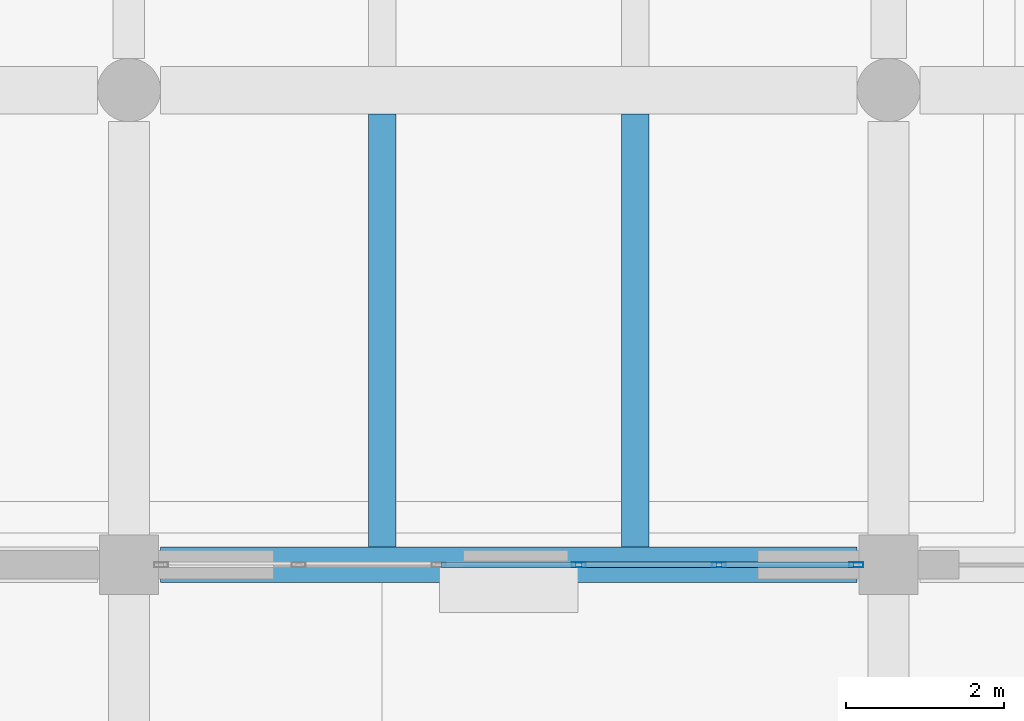
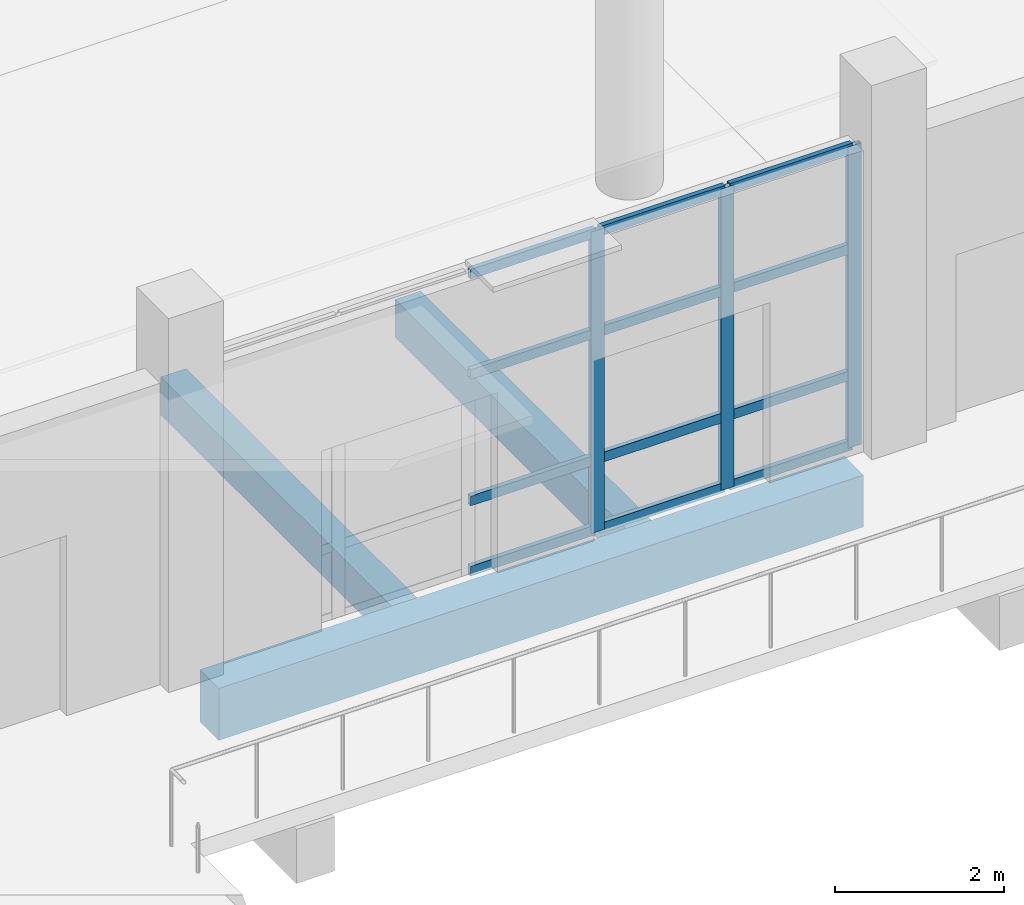
# One storey, part 26 of 78: 15 members, 3 beams, 1 element without a shape of its own.
"""IFC4 building model written with IfcOpenShell, lengths in metres."""

from ifc_helpers import new_model, si_unit, direction, frame, origin, origin_2d, place, context, subcontext, project, spatial, rectangle, hollow_rectangle, extrude, material, material_profile, profile_set, type_object, element, aggregate, save


model = new_model("IFC4")

# Units and contexts
model_context = context("Model", 3, precision=1e-05, world=origin(), true_north=direction((0.0, 1.0)))
body_context = subcontext(model_context, "Body", "Model", "MODEL_VIEW")
ifc_project = project(units=[si_unit("LENGTHUNIT", "METRE"), si_unit("AREAUNIT", "SQUARE_METRE"), si_unit("VOLUMEUNIT", "CUBIC_METRE"), si_unit("PLANEANGLEUNIT", "RADIAN"), si_unit("MASSUNIT", "GRAM", prefix="KILO")], contexts=[model_context])

# Site, building, storey
site_placement = place(None, origin())
site = spatial("IfcSite", under=ifc_project, at=site_placement, CompositionType="ELEMENT")
building_placement = place(site_placement, origin())
building = spatial("IfcBuilding", under=site, at=building_placement, Name="Pellamere Symphony Hall", CompositionType="ELEMENT")
storey_placement = place(building_placement, origin())
storey = spatial("IfcBuildingStorey", under=building, at=storey_placement, Name="L00", CompositionType="ELEMENT", Elevation=0.0)

# Curtain wall, members
ifc_material_1 = material(Name="Thermally Broken Anodised Aluminium 6063-T6 Curtain Wall", Category="aluminium")
curtain_wall_type = type_object("IfcCurtainWallType", Name="Curtain Wall CW-02 (Winter-Garden South Concourse Curtain Wall)", PredefinedType="NOTDEFINED", material=ifc_material_1)
curtain_wall_placement = place(storey_placement, origin())
curtain_wall = element("IfcCurtainWall", 1, at=curtain_wall_placement, inside=storey, type_object=curtain_wall_type, Name="Winter-Garden South Curtain Wall (L00 Bay 11)", PredefinedType="NOTDEFINED")
ifc_material_2 = material(Name="Anodised Architectural Aluminium 6063-T6", Category="aluminium")
ifc_material_profile_1 = material_profile(ifc_material_2, hollow_rectangle(XDim=0.06494140625, YDim=0.179931640625, WallThickness=0.00390625, at=origin_2d()), Name="ALU-M65X180X4")
ifc_profile_set_1 = profile_set([ifc_material_profile_1], Name="Anodised Architectural Aluminium 6063-T6")
member_type_1 = type_object("IfcMemberType", Name="Curtain Wall Mullion ML-02 ALU-M65X180X4", PredefinedType="MULLION", material=ifc_profile_set_1)
member_1_placement = place(storey_placement, frame((124.485107421875, 18.0, 0.0), z_axis=(0.0, 0.0, 1.0), x_axis=(0.0, 1.0, 0.0)))
member_1 = element("IfcMember", 2, at=member_1_placement, type_object=member_type_1, Name="CW2-065 crystal mullion 4", PredefinedType="MULLION", context=body_context, shape_type="SweptSolid", body=[
    extrude(hollow_rectangle(XDim=0.06494140625, YDim=0.179931640625, WallThickness=0.00390625, at=origin_2d()), origin(), (0.0, 0.0, 1.0), 4.35009765625),
])
member_2_placement = place(storey_placement, frame((126.2548828125, 18.0, 0.0), z_axis=(0.0, 0.0, 1.0), x_axis=(0.0, 1.0, 0.0)))
member_2 = element("IfcMember", 3, at=member_2_placement, type_object=member_type_1, Name="CW2-065 crystal mullion 5", PredefinedType="MULLION", context=body_context, shape_type="SweptSolid", body=[
    extrude(hollow_rectangle(XDim=0.06494140625, YDim=0.179931640625, WallThickness=0.00390625, at=origin_2d()), origin(), (0.0, 0.0, 1.0), 4.35009765625),
])
member_3_placement = place(storey_placement, frame((127.992431640625, 18.0, 0.0), z_axis=(0.0, 0.0, 1.0), x_axis=(0.0, 1.0, 0.0)))
member_3 = element("IfcMember", 4, at=member_3_placement, type_object=member_type_1, Name="CW2-065 crystal mullion 6", PredefinedType="MULLION", context=body_context, shape_type="SweptSolid", body=[
    extrude(hollow_rectangle(XDim=0.06494140625, YDim=0.179931640625, WallThickness=0.00390625, at=origin_2d()), origin(), (0.0, 0.0, 1.0), 4.35009765625),
])
ifc_material_profile_2 = material_profile(ifc_material_2, hollow_rectangle(XDim=0.06494140625, YDim=0.139892578125, WallThickness=0.00390625, at=origin_2d()), Name="ALU-T65X140X4")
ifc_profile_set_2 = profile_set([ifc_material_profile_2], Name="Anodised Architectural Aluminium 6063-T6")
member_type_2 = type_object("IfcMemberType", Name="Curtain Wall Transom TR-02 ALU-T65X140X4", PredefinedType="USERDEFINED", material=ifc_profile_set_2)
member_4_placement = place(storey_placement, frame((122.74755859375, 18.0, 0.032470703125), z_axis=(1.0, 0.0, 0.0), x_axis=(0.0, 1.0, 0.0)))
member_4 = element("IfcMember", 5, at=member_4_placement, type_object=member_type_2, Name="CW2-065 crystal transom 3.1", ObjectType="TRANSOM", PredefinedType="USERDEFINED", context=body_context, shape_type="SweptSolid", body=[
    extrude(hollow_rectangle(XDim=0.06494140625, YDim=0.139892578125, WallThickness=0.00390625, at=origin_2d()), origin(), (0.0, 0.0, 1.0), 1.704833984375),
])
member_5_placement = place(storey_placement, frame((122.74755859375, 18.0, 1.0439453125), z_axis=(1.0, 0.0, 0.0), x_axis=(0.0, 1.0, 0.0)))
member_5 = element("IfcMember", 6, at=member_5_placement, type_object=member_type_2, Name="CW2-065 crystal transom 3.2", ObjectType="TRANSOM", PredefinedType="USERDEFINED", context=body_context, shape_type="SweptSolid", body=[
    extrude(hollow_rectangle(XDim=0.06494140625, YDim=0.139892578125, WallThickness=0.00390625, at=origin_2d()), origin(), (0.0, 0.0, 1.0), 1.704833984375),
])
member_6_placement = place(storey_placement, frame((122.74755859375, 18.0, 2.87109375), z_axis=(1.0, 0.0, 0.0), x_axis=(0.0, 1.0, 0.0)))
member_6 = element("IfcMember", 7, at=member_6_placement, type_object=member_type_2, Name="CW2-065 crystal transom 3.3", ObjectType="TRANSOM", PredefinedType="USERDEFINED", context=body_context, shape_type="SweptSolid", body=[
    extrude(hollow_rectangle(XDim=0.06494140625, YDim=0.139892578125, WallThickness=0.00390625, at=origin_2d()), origin(), (0.0, 0.0, 1.0), 1.704833984375),
])
member_7_placement = place(storey_placement, frame((122.74755859375, 18.0, 4.3173828125), z_axis=(1.0, 0.0, 0.0), x_axis=(0.0, 1.0, 0.0)))
member_7 = element("IfcMember", 8, at=member_7_placement, type_object=member_type_2, Name="CW2-065 crystal transom 3.4", ObjectType="TRANSOM", PredefinedType="USERDEFINED", context=body_context, shape_type="SweptSolid", body=[
    extrude(hollow_rectangle(XDim=0.06494140625, YDim=0.139892578125, WallThickness=0.00390625, at=origin_2d()), origin(), (0.0, 0.0, 1.0), 1.704833984375),
])
member_8_placement = place(storey_placement, frame((124.517578125, 18.0, 0.032470703125), z_axis=(1.0, 0.0, 0.0), x_axis=(0.0, 1.0, 0.0)))
member_8 = element("IfcMember", 9, at=member_8_placement, type_object=member_type_2, Name="CW2-065 crystal transom 4.1", ObjectType="TRANSOM", PredefinedType="USERDEFINED", context=body_context, shape_type="SweptSolid", body=[
    extrude(hollow_rectangle(XDim=0.06494140625, YDim=0.139892578125, WallThickness=0.00390625, at=origin_2d()), origin(), (0.0, 0.0, 1.0), 1.704833984375),
])
member_9_placement = place(storey_placement, frame((124.517578125, 18.0, 1.0439453125), z_axis=(1.0, 0.0, 0.0), x_axis=(0.0, 1.0, 0.0)))
member_9 = element("IfcMember", 10, at=member_9_placement, type_object=member_type_2, Name="CW2-065 crystal transom 4.2", ObjectType="TRANSOM", PredefinedType="USERDEFINED", context=body_context, shape_type="SweptSolid", body=[
    extrude(hollow_rectangle(XDim=0.06494140625, YDim=0.139892578125, WallThickness=0.00390625, at=origin_2d()), origin(), (0.0, 0.0, 1.0), 1.704833984375),
])
member_10_placement = place(storey_placement, frame((124.517578125, 18.0, 2.87109375), z_axis=(1.0, 0.0, 0.0), x_axis=(0.0, 1.0, 0.0)))
member_10 = element("IfcMember", 11, at=member_10_placement, type_object=member_type_2, Name="CW2-065 crystal transom 4.3", ObjectType="TRANSOM", PredefinedType="USERDEFINED", context=body_context, shape_type="SweptSolid", body=[
    extrude(hollow_rectangle(XDim=0.06494140625, YDim=0.139892578125, WallThickness=0.00390625, at=origin_2d()), origin(), (0.0, 0.0, 1.0), 1.704833984375),
])
member_11_placement = place(storey_placement, frame((124.517578125, 18.0, 4.3173828125), z_axis=(1.0, 0.0, 0.0), x_axis=(0.0, 1.0, 0.0)))
member_11 = element("IfcMember", 12, at=member_11_placement, type_object=member_type_2, Name="CW2-065 crystal transom 4.4", ObjectType="TRANSOM", PredefinedType="USERDEFINED", context=body_context, shape_type="SweptSolid", body=[
    extrude(hollow_rectangle(XDim=0.06494140625, YDim=0.139892578125, WallThickness=0.00390625, at=origin_2d()), origin(), (0.0, 0.0, 1.0), 1.704833984375),
])
member_12_placement = place(storey_placement, frame((126.28759765625, 18.0, 0.032470703125), z_axis=(1.0, 0.0, 0.0), x_axis=(0.0, 1.0, 0.0)))
member_12 = element("IfcMember", 13, at=member_12_placement, type_object=member_type_2, Name="CW2-065 crystal transom 5.1", ObjectType="TRANSOM", PredefinedType="USERDEFINED", context=body_context, shape_type="SweptSolid", body=[
    extrude(hollow_rectangle(XDim=0.06494140625, YDim=0.139892578125, WallThickness=0.00390625, at=origin_2d()), origin(), (0.0, 0.0, 1.0), 1.67236328125),
])
member_13_placement = place(storey_placement, frame((126.28759765625, 18.0, 1.0439453125), z_axis=(1.0, 0.0, 0.0), x_axis=(0.0, 1.0, 0.0)))
member_13 = element("IfcMember", 14, at=member_13_placement, type_object=member_type_2, Name="CW2-065 crystal transom 5.2", ObjectType="TRANSOM", PredefinedType="USERDEFINED", context=body_context, shape_type="SweptSolid", body=[
    extrude(hollow_rectangle(XDim=0.06494140625, YDim=0.139892578125, WallThickness=0.00390625, at=origin_2d()), origin(), (0.0, 0.0, 1.0), 1.67236328125),
])
member_14_placement = place(storey_placement, frame((126.28759765625, 18.0, 2.87109375), z_axis=(1.0, 0.0, 0.0), x_axis=(0.0, 1.0, 0.0)))
member_14 = element("IfcMember", 15, at=member_14_placement, type_object=member_type_2, Name="CW2-065 crystal transom 5.3", ObjectType="TRANSOM", PredefinedType="USERDEFINED", context=body_context, shape_type="SweptSolid", body=[
    extrude(hollow_rectangle(XDim=0.06494140625, YDim=0.139892578125, WallThickness=0.00390625, at=origin_2d()), origin(), (0.0, 0.0, 1.0), 1.67236328125),
])
member_15_placement = place(storey_placement, frame((126.28759765625, 18.0, 4.3173828125), z_axis=(1.0, 0.0, 0.0), x_axis=(0.0, 1.0, 0.0)))
member_15 = element("IfcMember", 16, at=member_15_placement, type_object=member_type_2, Name="CW2-065 crystal transom 5.4", ObjectType="TRANSOM", PredefinedType="USERDEFINED", context=body_context, shape_type="SweptSolid", body=[
    extrude(hollow_rectangle(XDim=0.06494140625, YDim=0.139892578125, WallThickness=0.00390625, at=origin_2d()), origin(), (0.0, 0.0, 1.0), 1.67236328125),
])
aggregate(curtain_wall, [member_1, member_2, member_3, member_4, member_5, member_6, member_7, member_8, member_9, member_10, member_11, member_12, member_13, member_14, member_15])

# Beams
ifc_material_3 = material(Name="Concrete 35 MPa", Category="concrete")
ifc_material_profile_3 = material_profile(ifc_material_3, rectangle(XDim=0.35009765625, YDim=0.550048828125, at=origin_2d()), Name="RC 350x550")
ifc_profile_set_3 = profile_set([ifc_material_profile_3], Name="Concrete 35 MPa")
beam_type_1 = type_object("IfcBeamType", Name="RC CB-10 350x550", PredefinedType="BEAM", material=ifc_profile_set_3)
for number, where, z_axis, x_axis, name in (
    (17, (122.0, 18.22509765625, -0.590087890625), (0.0, 1.0, 0.0), (-1.0, 0.0, 0.0), "Secondary Floor Beam CB-10-A1502 (L00)"),
    (18, (125.199951171875, 18.22509765625, -0.590087890625), (0.0, 1.0, 0.0), (-1.0, 0.0, 0.0), "Secondary Floor Beam CB-10-B1502 (L00)"),
):
    element("IfcBeam", number, at=place(storey_placement, frame(where, z_axis=z_axis, x_axis=x_axis)), inside=storey, type_object=beam_type_1, Name=name, PredefinedType="BEAM", context=body_context, shape_type="SweptSolid", body=[
        extrude(rectangle(XDim=0.35009765625, YDim=0.550048828125, at=origin_2d()), origin(), (0.0, 0.0, 1.0), 5.474853515625),
    ])
ifc_material_4 = material(Name="Concrete 40 MPa", Category="concrete")
ifc_material_profile_4 = material_profile(ifc_material_4, rectangle(XDim=0.449951171875, YDim=0.75, at=origin_2d()), Name="RC 450x750")
ifc_profile_set_4 = profile_set([ifc_material_profile_4], Name="Concrete 40 MPa")
beam_type_2 = type_object("IfcBeamType", Name="RC CB-12 450x750", PredefinedType="SPANDREL", material=ifc_profile_set_4)
beam_placement = place(storey_placement, frame((119.199951171875, 18.0, -0.675048828125), z_axis=(1.0, 0.0, 0.0), x_axis=(0.0, 1.0, 0.0)))
element("IfcBeam", 19, at=beam_placement, inside=storey, type_object=beam_type_2, Name="Girder CB-12-X0026 (L00)", PredefinedType="SPANDREL", context=body_context, shape_type="SweptSolid", body=[
    extrude(rectangle(XDim=0.449951171875, YDim=0.75, at=origin_2d()), origin(), (0.0, 0.0, 1.0), 8.800048828125),
])

save(model, "model.ifc")
